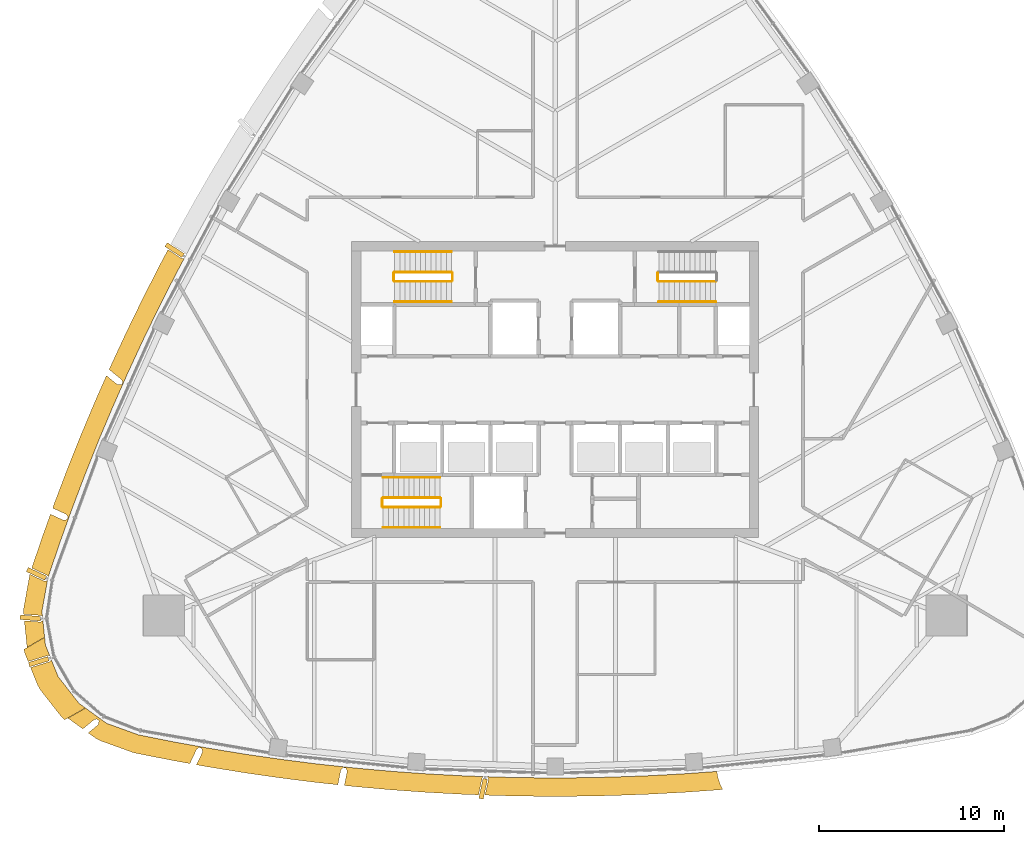
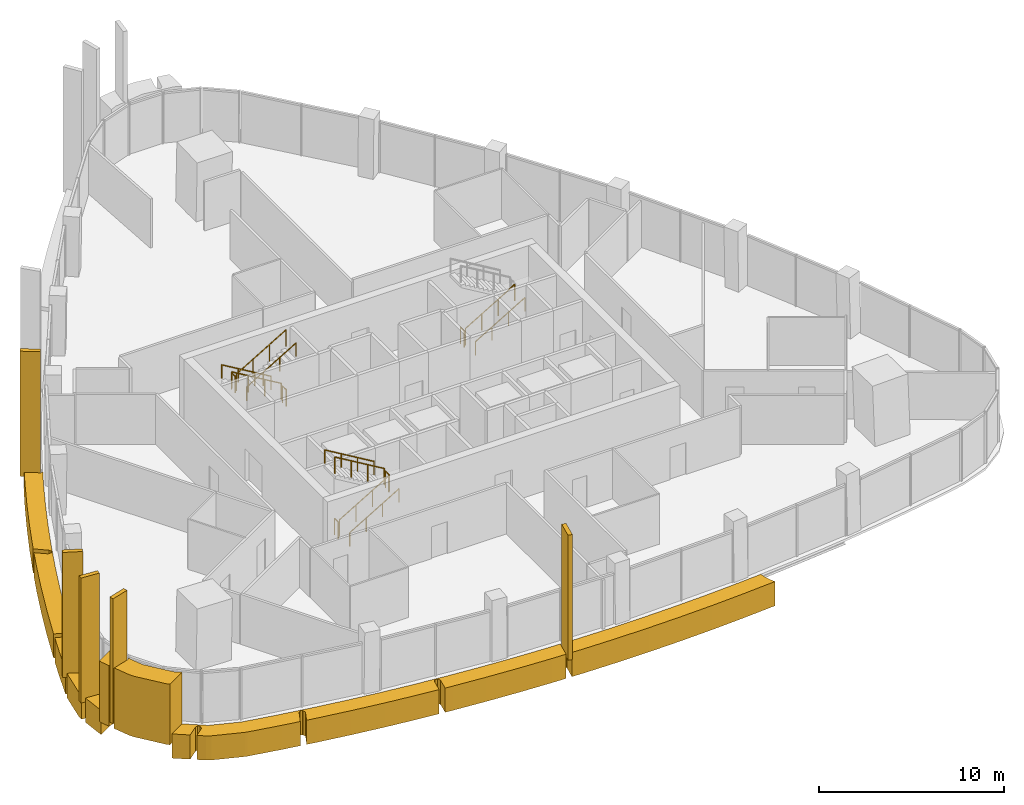
# One storey, part 14 of 16: 15 railings, 12 coverings.
"""IFC4 building model written with IfcOpenShell, lengths in metres."""

from ifc_helpers import new_model, si_unit, direction, frame, origin, origin_2d, place, context, subcontext, project, spatial, polyline, rectangle, circle, outline, extrude, material, layer, layer_set, material_profile, profile_set, type_object, element, save


model = new_model("IFC4")

# Units and contexts
model_context = context("Model", 3, precision=1e-05, world=origin(), true_north=direction((0.0, 1.0)))
body_context = subcontext(model_context, "Body", "Model", "MODEL_VIEW")
ifc_project = project(units=[si_unit("LENGTHUNIT", "METRE"), si_unit("AREAUNIT", "SQUARE_METRE"), si_unit("VOLUMEUNIT", "CUBIC_METRE"), si_unit("PLANEANGLEUNIT", "RADIAN"), si_unit("MASSUNIT", "GRAM", prefix="KILO")], contexts=[model_context])

# Site, building, storey
site_placement = place(None, origin())
site = spatial("IfcSite", under=ifc_project, at=site_placement, CompositionType="ELEMENT")
building_placement = place(site_placement, origin())
building = spatial("IfcBuilding", under=site, at=building_placement, Name="Sierra Prisma Convention Tower", CompositionType="ELEMENT")
storey_placement = place(building_placement, frame((0.0, 0.0, 271.0)))
storey = spatial("IfcBuildingStorey", under=building, at=storey_placement, Name="L61", CompositionType="ELEMENT", Elevation=271.0)

# Coverings
ifc_material_1 = material(Name="Aluminium composite bronze anodised", Category="aluminium")
ifc_layer_1 = layer(ifc_material_1, 1.199951171875)
ifc_layer_set_1 = layer_set([ifc_layer_1], Name="Bronze corner pier")
covering_type_1 = type_object("IfcCoveringType", Name="Bronze corner pier", PredefinedType="CLADDING", material=ifc_layer_set_1)
covering_1_placement = place(storey_placement, frame((0.0, 0.0, -0.60009765625)))
element("IfcCovering", 1, at=covering_1_placement, inside=storey, type_object=covering_type_1, Name="Corner pier SW L61.1", PredefinedType="CLADDING", context=body_context, shape_type="SweptSolid", body=[
    extrude(outline(polyline([(-28.361328125, -15.020751953125), (-27.339111328125, -14.708740234375), (-27.334228515625, -14.70703125), (-27.32958984375, -14.704833984375), (-27.325439453125, -14.702392578125), (-27.3212890625, -14.69921875), (-27.317626953125, -14.69580078125), (-27.314453125, -14.692138671875), (-27.238525390625, -14.59619140625), (-26.868896484375, -15.5126953125), (-25.737060546875, -16.959716796875), (-25.39892578125, -17.204345703125), (-26.5224609375, -17.85302734375), (-26.682373046875, -17.698974609375), (-27.814208984375, -16.252197265625), (-27.981689453125, -15.961669921875), (-28.361328125, -15.020751953125)])), origin(), (0.0, 0.0, 1.0), 4.0),
])
covering_2_placement = place(storey_placement, frame((0.0, 0.0, -0.60009765625)))
element("IfcCovering", 2, at=covering_2_placement, inside=storey, type_object=covering_type_1, Name="Corner pier SW L61.2", PredefinedType="CLADDING", context=body_context, shape_type="SweptSolid", body=[
    extrude(outline(polyline([(-28.6689453125, -14.258056640625), (-28.722412109375, -14.04248046875), (-27.598876953125, -13.393798828125), (-27.555908203125, -13.80908203125), (-27.320068359375, -14.39404296875), (-27.415771484375, -14.373046875), (-27.4208984375, -14.372314453125), (-27.426025390625, -14.371826171875), (-27.43115234375, -14.3720703125), (-27.436279296875, -14.372802734375), (-27.441162109375, -14.3740234375), (-28.49267578125, -14.69482421875), (-28.6689453125, -14.258056640625)])), origin(), (0.0, 0.0, 1.0), 4.0),
])
ifc_material_2 = material(Name="Aluminium 6063-T6 bronze anodised", Category="aluminium")
ifc_material_profile = material_profile(ifc_material_2, rectangle(XDim=1.10009765625, YDim=0.25, at=origin_2d()), Name="ALU FIN 1100x250")
ifc_profile_set = profile_set([ifc_material_profile], Name="Aluminium 6063-T6 bronze anodised")
covering_type_2 = type_object("IfcCoveringType", Name="Bronze facade fin", PredefinedType="CLADDING", material=ifc_profile_set)
for number, where, z_axis, x_axis, name in (
    (3, (-3.892822265625, -21.57470703125, -0.300048828125), (0.0, 0.0, 1.0), (-0.208781691722, -0.97796227187, 0.0), "Fin L61.8"),
    (4, (-20.56884765625, 7.545654296875, -0.300048828125), (0.0, 0.0, 1.0), (-0.839154704189, 0.543892804179, 0.0), "Fin L61.55"),
    (5, (-28.04248046875, -9.953125, -0.300048828125), (0.0, 0.0, 1.0), (-0.905031638559, 0.425344252586, 0.0), "Fin L61.62"),
    (6, (-28.372802734375, -12.340087890625, -0.300048828125), (0.0, 0.0, 1.0), (-0.997436446945, 0.071557908763, 0.0), "Fin L61.63"),
    (7, (-27.916015625, -14.701904296875, -0.300048828125), (0.0, 0.0, 1.0), (-0.956480585467, -0.291795972597, 0.0), "Fin L61.64"),
):
    element("IfcCovering", number, at=place(storey_placement, frame(where, z_axis=z_axis, x_axis=x_axis)), inside=storey, type_object=covering_type_2, Name=name, ObjectType="FIN", PredefinedType="CLADDING", context=body_context, shape_type="SweptSolid", body=[
        extrude(rectangle(XDim=1.10009765625, YDim=0.25, at=origin_2d()), origin(), (0.0, 0.0, 1.0), 8.25),
    ])
ifc_material_3 = material(Name="Aluminium composite bronze anodised", Category="aluminium")
ifc_layer_2 = layer(ifc_material_3, 1.0)
ifc_layer_set_2 = layer_set([ifc_layer_2], Name="Bronze spandrel band")
covering_type_3 = type_object("IfcCoveringType", Name="Bronze spandrel band", PredefinedType="CLADDING", material=ifc_layer_set_2)
covering_3_placement = place(storey_placement, frame((0.0, 0.0, -1.60009765625)))
element("IfcCovering", 8, at=covering_3_placement, inside=storey, type_object=covering_type_3, Name="Spandrel band L61.1", PredefinedType="CLADDING", context=body_context, shape_type="SweptSolid", body=[
    extrude(outline(polyline([(-26.3916015625, -7.013916015625), (-26.388427734375, -7.010498046875), (-26.38525390625, -7.0068359375), (-26.3828125, -7.002685546875), (-26.380615234375, -6.99853515625), (-26.378662109375, -6.994140625), (-26.3447265625, -6.900146484375), (-26.343505859375, -6.8955078125), (-26.34228515625, -6.890625), (-26.341796875, -6.8857421875), (-26.341796875, -6.881103515625), (-26.34228515625, -6.876220703125), (-26.34326171875, -6.871337890625), (-26.3447265625, -6.86669921875), (-26.346435546875, -6.8623046875), (-26.3486328125, -6.85791015625), (-26.351318359375, -6.85400390625), (-26.428955078125, -6.746826171875), (-26.43212890625, -6.742919921875), (-26.435791015625, -6.7392578125), (-26.439697265625, -6.736083984375), (-26.44384765625, -6.733154296875), (-26.448486328125, -6.730712890625), (-27.165771484375, -6.39990234375), (-27.062255859375, -6.11181640625), (-27.05615234375, -6.09521484375), (-26.356689453125, -4.2509765625), (-26.35009765625, -4.234375), (-25.617919921875, -2.403076171875), (-25.611083984375, -2.38671875), (-24.84619140625, -0.568603515625), (-24.839111328125, -0.55224609375), (-24.259521484375, 0.758544921875), (-23.665283203125, 0.27978515625), (-23.6611328125, 0.27685546875), (-23.656982421875, 0.2744140625), (-23.65234375, 0.272216796875), (-23.647705078125, 0.270751953125), (-23.642822265625, 0.26953125), (-23.637939453125, 0.268798828125), (-23.633056640625, 0.268798828125), (-23.465087890625, 0.271728515625), (-23.460205078125, 0.272216796875), (-23.45556640625, 0.27294921875), (-23.451171875, 0.274169921875), (-23.446533203125, 0.275634765625), (-23.4423828125, 0.27783203125), (-23.438232421875, 0.2802734375), (-23.4345703125, 0.282958984375), (-23.430908203125, 0.2861328125), (-23.427734375, 0.28955078125), (-23.4248046875, 0.29345703125), (-23.42236328125, 0.29736328125), (-23.420166015625, 0.301513671875), (-23.3798828125, 0.39306640625), (-23.3779296875, 0.397705078125), (-23.376708984375, 0.402587890625), (-23.3759765625, 0.4072265625), (-23.37548828125, 0.412353515625), (-23.375732421875, 0.417236328125), (-23.376220703125, 0.422119140625), (-23.37744140625, 0.427001953125), (-23.37890625, 0.431640625), (-23.381103515625, 0.436279296875), (-23.4326171875, 0.536376953125), (-23.435302734375, 0.540771484375), (-23.438232421875, 0.544921875), (-23.44189453125, 0.548828125), (-23.44580078125, 0.552490234375), (-24.113037109375, 1.090087890625), (-24.041748046875, 1.25146484375), (-24.0341796875, 1.267822265625), (-23.204833984375, 3.05712890625), (-23.197021484375, 3.0732421875), (-22.335693359375, 4.847412109375), (-22.327880859375, 4.863525390625), (-21.434814453125, 6.621826171875), (-21.426513671875, 6.6376953125), (-20.930908203125, 7.572021484375), (-20.202392578125, 7.099609375), (-20.197998046875, 7.09716796875), (-20.193603515625, 7.09521484375), (-20.188720703125, 7.093505859375), (-20.183837890625, 7.09228515625), (-20.1787109375, 7.091796875), (-20.173828125, 7.091796875), (-20.0517578125, 7.09521484375), (-20.543212890625, 6.169189453125), (-21.43603515625, 4.41064453125), (-22.297607421875, 2.636474609375), (-23.127197265625, 0.84716796875), (-23.92431640625, -0.95654296875), (-24.689453125, -2.7744140625), (-25.421630859375, -4.605712890625), (-26.12109375, -6.44970703125), (-26.787353515625, -8.305908203125), (-27.3974609375, -10.106201171875), (-27.45361328125, -10.041015625), (-27.457275390625, -10.037353515625), (-27.461181640625, -10.033935546875), (-27.465576171875, -10.031005859375), (-27.47021484375, -10.028564453125), (-28.29541015625, -9.640625), (-27.734619140625, -7.985107421875), (-27.728515625, -7.968017578125), (-27.284423828125, -6.730712890625), (-26.594970703125, -7.048583984375), (-26.59033203125, -7.050537109375), (-26.58544921875, -7.052001953125), (-26.58056640625, -7.052734375), (-26.575439453125, -7.05322265625), (-26.570556640625, -7.052978515625), (-26.5654296875, -7.052490234375), (-26.4169921875, -7.026611328125), (-26.412353515625, -7.025390625), (-26.407958984375, -7.02392578125), (-26.403564453125, -7.022216796875), (-26.3994140625, -7.019775390625), (-26.3955078125, -7.01708984375), (-26.3916015625, -7.013916015625)])), origin(), (0.0, 0.0, 1.0), 1.60009765625),
])
covering_4_placement = place(storey_placement, frame((0.0, 0.0, -1.60009765625)))
element("IfcCovering", 9, at=covering_4_placement, inside=storey, type_object=covering_type_3, Name="Spandrel band L61.2", PredefinedType="CLADDING", context=body_context, shape_type="SweptSolid", body=[
    extrude(outline(polyline([(-27.80712890625, -12.205322265625), (-27.811767578125, -12.204833984375), (-28.73388671875, -12.138671875), (-28.739501953125, -12.084716796875), (-28.72900390625, -11.805419921875), (-28.404541015625, -9.997314453125), (-28.39990234375, -9.978515625), (-27.618896484375, -10.345458984375), (-27.614501953125, -10.347412109375), (-27.609619140625, -10.3486328125), (-27.604736328125, -10.349609375), (-27.599853515625, -10.35009765625), (-27.594970703125, -10.35009765625), (-27.58984375, -10.349609375), (-27.585205078125, -10.348388671875), (-27.445068359375, -10.311767578125), (-27.74462890625, -11.98193359375), (-27.716552734375, -12.25537109375), (-27.789794921875, -12.2119140625), (-27.7939453125, -12.209716796875), (-27.798095703125, -12.207763671875), (-27.802490234375, -12.206298828125), (-27.80712890625, -12.205322265625)])), origin(), (0.0, 0.0, 1.0), 1.60009765625),
])
covering_5_placement = place(storey_placement, frame((0.0, 0.0, -1.60009765625)))
element("IfcCovering", 10, at=covering_5_placement, inside=storey, type_object=covering_type_3, Name="Spandrel band L61.3", PredefinedType="CLADDING", context=body_context, shape_type="SweptSolid", body=[
    extrude(outline(polyline([(-28.697509765625, -12.4921875), (-27.8369140625, -12.553955078125), (-27.832275390625, -12.55419921875), (-27.82763671875, -12.5537109375), (-27.822998046875, -12.552978515625), (-27.818603515625, -12.552001953125), (-27.814208984375, -12.55029296875), (-27.809814453125, -12.54833984375), (-27.805908203125, -12.5458984375), (-27.694091796875, -12.472900390625), (-27.60009765625, -13.383056640625), (-28.54638671875, -13.929443359375), (-28.55078125, -13.911865234375), (-28.697509765625, -12.4921875)])), origin(), (0.0, 0.0, 1.0), 1.60009765625),
])
covering_6_placement = place(storey_placement, frame((0.0, 0.0, -1.60009765625)))
element("IfcCovering", 11, at=covering_6_placement, inside=storey, type_object=covering_type_3, Name="Spandrel band L61.4", PredefinedType="CLADDING", context=body_context, shape_type="SweptSolid", body=[
    extrude(outline(polyline([(-20.5869140625, -19.045654296875), (-18.64599609375, -19.396728515625), (-16.699462890625, -19.712890625), (-14.747314453125, -19.994384765625), (-12.790771484375, -20.240966796875), (-10.829833984375, -20.4521484375), (-8.865478515625, -20.62841796875), (-6.898193359375, -20.76953125), (-4.928955078125, -20.87548828125), (-3.885986328125, -20.912841796875), (-3.939208984375, -20.9794921875), (-3.94189453125, -20.983154296875), (-3.9443359375, -20.987060546875), (-3.9462890625, -20.9912109375), (-3.947998046875, -20.99560546875), (-3.94921875, -21.000244140625), (-4.14208984375, -21.904296875), (-4.964599609375, -21.874755859375), (-4.982666015625, -21.8740234375), (-6.951904296875, -21.76806640625), (-6.969970703125, -21.76708984375), (-8.93701171875, -21.6259765625), (-8.954833984375, -21.62451171875), (-10.919189453125, -21.4482421875), (-10.93701171875, -21.446533203125), (-11.39453125, -21.397216796875), (-11.24560546875, -20.6416015625), (-11.2451171875, -20.636474609375), (-11.244873046875, -20.631591796875), (-11.2451171875, -20.62646484375), (-11.245849609375, -20.62158203125), (-11.2470703125, -20.61669921875), (-11.248779296875, -20.61181640625), (-11.30908203125, -20.473876953125), (-11.31103515625, -20.469482421875), (-11.313720703125, -20.46533203125), (-11.31640625, -20.461669921875), (-11.31982421875, -20.4580078125), (-11.3232421875, -20.454833984375), (-11.3271484375, -20.4521484375), (-11.331298828125, -20.44970703125), (-11.335693359375, -20.447509765625), (-11.340087890625, -20.44580078125), (-11.3447265625, -20.444580078125), (-11.349609375, -20.444091796875), (-11.448974609375, -20.433349609375), (-11.453857421875, -20.43310546875), (-11.45849609375, -20.43310546875), (-11.46337890625, -20.433837890625), (-11.46826171875, -20.43505859375), (-11.47265625, -20.4365234375), (-11.477294921875, -20.438720703125), (-11.4814453125, -20.44091796875), (-11.4853515625, -20.44384765625), (-11.489013671875, -20.447021484375), (-11.4921875, -20.45068359375), (-11.578125, -20.551025390625), (-11.581298828125, -20.55517578125), (-11.583984375, -20.5595703125), (-11.586181640625, -20.564208984375), (-11.587890625, -20.56884765625), (-11.589111328125, -20.573974609375), (-11.743896484375, -21.359619140625), (-12.897705078125, -21.235107421875), (-12.91552734375, -21.23291015625), (-14.872314453125, -20.986572265625), (-14.89013671875, -20.984130859375), (-16.842041015625, -20.702880859375), (-16.85986328125, -20.699951171875), (-18.806396484375, -20.3837890625), (-18.82421875, -20.380615234375), (-19.389892578125, -20.2783203125), (-19.069091796875, -19.598388671875), (-19.0673828125, -19.59375), (-19.06591796875, -19.5888671875), (-19.06494140625, -19.583984375), (-19.064453125, -19.5791015625), (-19.064453125, -19.57421875), (-19.06494140625, -19.569091796875), (-19.06591796875, -19.564208984375), (-19.108642578125, -19.40185546875), (-19.110107421875, -19.397216796875), (-19.11181640625, -19.392822265625), (-19.114013671875, -19.388671875), (-19.11669921875, -19.384765625), (-19.11962890625, -19.381103515625), (-19.123046875, -19.377685546875), (-19.126708984375, -19.374755859375), (-19.130615234375, -19.3720703125), (-19.134521484375, -19.36962890625), (-19.138916015625, -19.367919921875), (-19.143310546875, -19.3662109375), (-19.148193359375, -19.365234375), (-19.24658203125, -19.347412109375), (-19.25146484375, -19.3466796875), (-19.25634765625, -19.3466796875), (-19.26123046875, -19.346923828125), (-19.26611328125, -19.347900390625), (-19.27099609375, -19.34912109375), (-19.275390625, -19.350830078125), (-19.280029296875, -19.35302734375), (-19.2841796875, -19.355712890625), (-19.2880859375, -19.35888671875), (-19.373291015625, -19.4326171875), (-19.376953125, -19.43603515625), (-19.38037109375, -19.440185546875), (-19.38330078125, -19.4443359375), (-19.3857421875, -19.448974609375), (-19.746337890625, -20.2138671875), (-20.764892578125, -20.029541015625), (-20.782470703125, -20.026123046875), (-22.716552734375, -19.640380859375), (-22.860107421875, -19.6005859375), (-24.588134765625, -18.977294921875), (-24.835205078125, -18.8466796875), (-25.24267578125, -18.552001953125), (-24.715087890625, -18.123046875), (-24.71142578125, -18.11962890625), (-24.7080078125, -18.115966796875), (-24.705078125, -18.112060546875), (-24.702392578125, -18.10791015625), (-24.700439453125, -18.103271484375), (-24.69873046875, -18.0986328125), (-24.697509765625, -18.09375), (-24.66552734375, -17.928955078125), (-24.664794921875, -17.92431640625), (-24.66455078125, -17.91943359375), (-24.664794921875, -17.914794921875), (-24.66552734375, -17.909912109375), (-24.66650390625, -17.905517578125), (-24.668212890625, -17.90087890625), (-24.669921875, -17.896484375), (-24.67236328125, -17.892578125), (-24.675048828125, -17.888671875), (-24.67822265625, -17.885009765625), (-24.681640625, -17.8818359375), (-24.685302734375, -17.87890625), (-24.766357421875, -17.8203125), (-24.7705078125, -17.8173828125), (-24.77490234375, -17.815185546875), (-24.779296875, -17.8134765625), (-24.7841796875, -17.81201171875), (-24.7890625, -17.81103515625), (-24.7939453125, -17.810791015625), (-24.799072265625, -17.810791015625), (-24.803955078125, -17.811279296875), (-24.80859375, -17.8125), (-24.91748046875, -17.842041015625), (-24.92236328125, -17.843505859375), (-24.927001953125, -17.845703125), (-24.931640625, -17.848388671875), (-24.935791015625, -17.8515625), (-25.5361328125, -18.339599609375), (-26.323486328125, -17.769775390625), (-26.33642578125, -17.757080078125), (-25.389892578125, -17.210693359375), (-24.2490234375, -18.03662109375), (-22.52099609375, -18.659912109375), (-20.5869140625, -19.045654296875)])), origin(), (0.0, 0.0, 1.0), 1.60009765625),
])
covering_7_placement = place(storey_placement, frame((0.0, 0.0, -1.60009765625)))
element("IfcCovering", 12, at=covering_7_placement, inside=storey, type_object=covering_type_3, Name="Spandrel band L61.10", PredefinedType="CLADDING", context=body_context, shape_type="SweptSolid", body=[
    extrude(outline(polyline([(8.954833984375, -21.62451171875), (8.93701171875, -21.6259765625), (6.969970703125, -21.76708984375), (6.951904296875, -21.76806640625), (4.982666015625, -21.8740234375), (4.964599609375, -21.874755859375), (2.993896484375, -21.9453125), (2.975830078125, -21.94580078125), (1.00390625, -21.981201171875), (0.986083984375, -21.981201171875), (-0.986083984375, -21.981201171875), (-1.00390625, -21.981201171875), (-2.975830078125, -21.94580078125), (-2.993896484375, -21.9453125), (-3.786865234375, -21.9169921875), (-3.606689453125, -21.0732421875), (-3.60595703125, -21.068603515625), (-3.605712890625, -21.06396484375), (-3.605712890625, -21.059326171875), (-3.606201171875, -21.0546875), (-3.607421875, -21.05029296875), (-3.608642578125, -21.0458984375), (-3.610595703125, -21.04150390625), (-3.66748046875, -20.920654296875), (-2.9580078125, -20.946044921875), (-0.986083984375, -20.981201171875), (0.986083984375, -20.981201171875), (2.9580078125, -20.946044921875), (4.928955078125, -20.87548828125), (6.898193359375, -20.76953125), (8.74365234375, -20.63720703125), (8.7783203125, -20.86279296875), (8.83984375, -21.10302734375), (8.924560546875, -21.336181640625), (9.031982421875, -21.559814453125), (9.0654296875, -21.614501953125), (8.954833984375, -21.62451171875)])), origin(), (0.0, 0.0, 1.0), 1.60009765625),
])

# Railings
ifc_material_4 = material(Name="Stainless steel", Category="steel")
railing_type_1 = type_object("IfcRailingType", Name="Exit stair handrail", PredefinedType="HANDRAIL", material=ifc_material_4)
railing_1_placement = place(storey_placement, frame((-9.300048828125, -7.449951171875, 0.166748046875)))
element("IfcRailing", 13, at=railing_1_placement, inside=storey, type_object=railing_type_1, Name="L61 S1 stair handrail 1", PredefinedType="HANDRAIL", context=body_context, shape_type="SweptSolid", body=[
    extrude(circle(Radius=0.02392578125, at=origin_2d()), frame((0.0, 0.0, 0.8759765625), z_axis=(0.859308565015, 0.0, 0.511457515432), x_axis=(0.0, 1.0, 0.0)), (0.0, 0.0, 1.0), 3.58447265625),
    extrude(circle(Radius=0.02099609375, at=origin_2d()), origin(), (0.0, 0.0, 1.0), 0.851806640625),
    extrude(circle(Radius=0.02099609375, at=origin_2d()), frame((1.026611328125, 0.0, 0.611083984375)), (0.0, 0.0, 1.0), 0.851806640625),
    extrude(circle(Radius=0.02099609375, at=origin_2d()), frame((2.053466796875, 0.0, 1.22216796875)), (0.0, 0.0, 1.0), 0.851806640625),
    extrude(circle(Radius=0.02099609375, at=origin_2d()), frame((3.080078125, 0.0, 1.833251953125)), (0.0, 0.0, 1.0), 0.851806640625),
])
railing_2_placement = place(storey_placement, frame((-6.219970703125, -4.75, 2.166748046875)))
element("IfcRailing", 14, at=railing_2_placement, inside=storey, type_object=railing_type_1, Name="L61 S1 stair handrail 2", PredefinedType="HANDRAIL", context=body_context, shape_type="SweptSolid", body=[
    extrude(circle(Radius=0.02392578125, at=origin_2d()), frame((0.0, 0.0, 0.8759765625), z_axis=(-0.859308565015, 0.0, 0.511457515432), x_axis=(0.0, -1.0, 0.0)), (0.0, 0.0, 1.0), 3.58447265625),
    extrude(circle(Radius=0.02099609375, at=origin_2d()), origin(), (0.0, 0.0, 1.0), 0.851806640625),
    extrude(circle(Radius=0.02099609375, at=origin_2d()), frame((-1.026611328125, 0.0, 0.611083984375)), (0.0, 0.0, 1.0), 0.851806640625),
    extrude(circle(Radius=0.02099609375, at=origin_2d()), frame((-2.053466796875, 0.0, 1.22216796875)), (0.0, 0.0, 1.0), 0.851806640625),
    extrude(circle(Radius=0.02099609375, at=origin_2d()), frame((-3.080078125, 0.0, 1.833251953125)), (0.0, 0.0, 1.0), 0.851806640625),
])
railing_3_placement = place(storey_placement, frame((-5.60009765625, 7.449951171875, 0.166748046875)))
element("IfcRailing", 15, at=railing_3_placement, inside=storey, type_object=railing_type_1, Name="L61 S3 stair handrail 1", PredefinedType="HANDRAIL", context=body_context, shape_type="SweptSolid", body=[
    extrude(circle(Radius=0.02392578125, at=origin_2d()), frame((0.0, 0.0, 0.8759765625), z_axis=(-0.859290745958, 0.0, 0.51148745235), x_axis=(0.0, -1.0, 0.0)), (0.0, 0.0, 1.0), 3.584228515625),
    extrude(circle(Radius=0.02099609375, at=origin_2d()), origin(), (0.0, 0.0, 1.0), 0.851806640625),
    extrude(circle(Radius=0.02099609375, at=origin_2d()), frame((-1.026611328125, 0.0, 0.611083984375)), (0.0, 0.0, 1.0), 0.851806640625),
    extrude(circle(Radius=0.02099609375, at=origin_2d()), frame((-2.05322265625, 0.0, 1.22216796875)), (0.0, 0.0, 1.0), 0.851806640625),
    extrude(circle(Radius=0.02099609375, at=origin_2d()), frame((-3.079833984375, 0.0, 1.833251953125)), (0.0, 0.0, 1.0), 0.851806640625),
])
for number, where, name in (
    (16, (-8.679931640625, 4.75, 2.166748046875), "L61 S3 stair handrail 2"),
    (17, (5.60009765625, 4.75, 0.166748046875), "L61 S4 stair handrail 1"),
):
    element("IfcRailing", number, at=place(storey_placement, frame(where)), inside=storey, type_object=railing_type_1, Name=name, PredefinedType="HANDRAIL", context=body_context, shape_type="SweptSolid", body=[
        extrude(circle(Radius=0.02392578125, at=origin_2d()), frame((0.0, 0.0, 0.8759765625), z_axis=(0.859290745958, 0.0, 0.51148745235), x_axis=(0.0, 1.0, 0.0)), (0.0, 0.0, 1.0), 3.584228515625),
        extrude(circle(Radius=0.02099609375, at=origin_2d()), origin(), (0.0, 0.0, 1.0), 0.851806640625),
        extrude(circle(Radius=0.02099609375, at=origin_2d()), frame((1.026611328125, 0.0, 0.611083984375)), (0.0, 0.0, 1.0), 0.851806640625),
        extrude(circle(Radius=0.02099609375, at=origin_2d()), frame((2.05322265625, 0.0, 1.22216796875)), (0.0, 0.0, 1.0), 0.851806640625),
        extrude(circle(Radius=0.02099609375, at=origin_2d()), frame((3.079833984375, 0.0, 1.833251953125)), (0.0, 0.0, 1.0), 0.851806640625),
    ])
ifc_material_5 = material(Name="Stainless steel", Category="steel")
railing_type_2 = type_object("IfcRailingType", Name="Stair guard 1100", PredefinedType="GUARDRAIL", material=ifc_material_5)
railing_4_placement = place(storey_placement, frame((-9.300048828125, -6.35009765625, 0.166748046875)))
element("IfcRailing", 18, at=railing_4_placement, inside=storey, type_object=railing_type_2, Name="L61 S1 stair guard 1", PredefinedType="GUARDRAIL", context=body_context, shape_type="SweptSolid", body=[
    extrude(circle(Radius=0.02392578125, at=origin_2d()), frame((0.0, 0.0, 1.076171875), z_axis=(0.859308565015, 0.0, 0.511457515432), x_axis=(0.0, 1.0, 0.0)), (0.0, 0.0, 1.0), 3.58447265625),
    extrude(circle(Radius=0.02099609375, at=origin_2d()), origin(), (0.0, 0.0, 1.0), 1.052001953125),
    extrude(circle(Radius=0.02099609375, at=origin_2d()), frame((1.026611328125, 0.0, 0.611083984375)), (0.0, 0.0, 1.0), 1.052001953125),
    extrude(circle(Radius=0.02099609375, at=origin_2d()), frame((2.053466796875, 0.0, 1.22216796875)), (0.0, 0.0, 1.0), 1.052001953125),
    extrude(circle(Radius=0.02099609375, at=origin_2d()), frame((3.080078125, 0.0, 1.833251953125)), (0.0, 0.0, 1.0), 1.052001953125),
])
railing_5_placement = place(storey_placement, frame((-6.169921875, -6.300048828125, 2.0)))
element("IfcRailing", 19, at=railing_5_placement, inside=storey, type_object=railing_type_2, Name="L61 S1 stair guard 2", PredefinedType="GUARDRAIL", context=body_context, shape_type="SweptSolid", body=[
    extrude(circle(Radius=0.02392578125, at=origin_2d()), frame((0.0, 0.0, 1.076171875), z_axis=(0.0, 1.0, 0.0), x_axis=(-1.0, 0.0, 0.0)), (0.0, 0.0, 1.0), 0.400146484375),
    extrude(circle(Radius=0.02099609375, at=origin_2d()), origin(), (0.0, 0.0, 1.0), 1.052001953125),
    extrude(circle(Radius=0.02099609375, at=origin_2d()), frame((0.0, 0.400146484375, 0.0)), (0.0, 0.0, 1.0), 1.052001953125),
])
railing_6_placement = place(storey_placement, frame((-6.219970703125, -5.85009765625, 2.166748046875)))
element("IfcRailing", 20, at=railing_6_placement, inside=storey, type_object=railing_type_2, Name="L61 S1 stair guard 3", PredefinedType="GUARDRAIL", context=body_context, shape_type="SweptSolid", body=[
    extrude(circle(Radius=0.02392578125, at=origin_2d()), frame((0.0, 0.0, 1.076171875), z_axis=(-0.859308565015, 0.0, 0.511457515432), x_axis=(0.0, -1.0, 0.0)), (0.0, 0.0, 1.0), 3.58447265625),
    extrude(circle(Radius=0.02099609375, at=origin_2d()), origin(), (0.0, 0.0, 1.0), 1.052001953125),
    extrude(circle(Radius=0.02099609375, at=origin_2d()), frame((-1.026611328125, 0.0, 0.611083984375)), (0.0, 0.0, 1.0), 1.052001953125),
    extrude(circle(Radius=0.02099609375, at=origin_2d()), frame((-2.053466796875, 0.0, 1.22216796875)), (0.0, 0.0, 1.0), 1.052001953125),
    extrude(circle(Radius=0.02099609375, at=origin_2d()), frame((-3.080078125, 0.0, 1.833251953125)), (0.0, 0.0, 1.0), 1.052001953125),
])
railing_7_placement = place(storey_placement, frame((-9.35009765625, -6.300048828125, 0.0)))
element("IfcRailing", 21, at=railing_7_placement, inside=storey, type_object=railing_type_2, Name="L61 S1 stair guard 4", PredefinedType="GUARDRAIL", context=body_context, shape_type="SweptSolid", body=[
    extrude(circle(Radius=0.02392578125, at=origin_2d()), frame((0.0, 0.0, 1.076171875), z_axis=(0.0, 1.0, 0.0), x_axis=(-1.0, 0.0, 0.0)), (0.0, 0.0, 1.0), 0.400146484375),
    extrude(circle(Radius=0.02099609375, at=origin_2d()), origin(), (0.0, 0.0, 1.0), 1.052001953125),
    extrude(circle(Radius=0.02099609375, at=origin_2d()), frame((0.0, 0.400146484375, 0.0)), (0.0, 0.0, 1.0), 1.052001953125),
])
railing_8_placement = place(storey_placement, frame((-5.60009765625, 6.35009765625, 0.166748046875)))
element("IfcRailing", 22, at=railing_8_placement, inside=storey, type_object=railing_type_2, Name="L61 S3 stair guard 1", PredefinedType="GUARDRAIL", context=body_context, shape_type="SweptSolid", body=[
    extrude(circle(Radius=0.02392578125, at=origin_2d()), frame((0.0, 0.0, 1.076171875), z_axis=(-0.859290745958, 0.0, 0.51148745235), x_axis=(0.0, -1.0, 0.0)), (0.0, 0.0, 1.0), 3.584228515625),
    extrude(circle(Radius=0.02099609375, at=origin_2d()), origin(), (0.0, 0.0, 1.0), 1.052001953125),
    extrude(circle(Radius=0.02099609375, at=origin_2d()), frame((-1.026611328125, 0.0, 0.611083984375)), (0.0, 0.0, 1.0), 1.052001953125),
    extrude(circle(Radius=0.02099609375, at=origin_2d()), frame((-2.05322265625, 0.0, 1.22216796875)), (0.0, 0.0, 1.0), 1.052001953125),
    extrude(circle(Radius=0.02099609375, at=origin_2d()), frame((-3.079833984375, 0.0, 1.833251953125)), (0.0, 0.0, 1.0), 1.052001953125),
])
railing_9_placement = place(storey_placement, frame((-8.72998046875, 6.300048828125, 2.0)))
element("IfcRailing", 23, at=railing_9_placement, inside=storey, type_object=railing_type_2, Name="L61 S3 stair guard 2", PredefinedType="GUARDRAIL", context=body_context, shape_type="SweptSolid", body=[
    extrude(circle(Radius=0.02392578125, at=origin_2d()), frame((0.0, 0.0, 1.076171875), z_axis=(0.0, -1.0, 0.0), x_axis=(1.0, 0.0, 0.0)), (0.0, 0.0, 1.0), 0.400146484375),
    extrude(circle(Radius=0.02099609375, at=origin_2d()), origin(), (0.0, 0.0, 1.0), 1.052001953125),
    extrude(circle(Radius=0.02099609375, at=origin_2d()), frame((0.0, -0.400146484375, 0.0)), (0.0, 0.0, 1.0), 1.052001953125),
])
railing_10_placement = place(storey_placement, frame((-8.679931640625, 5.85009765625, 2.166748046875)))
element("IfcRailing", 24, at=railing_10_placement, inside=storey, type_object=railing_type_2, Name="L61 S3 stair guard 3", PredefinedType="GUARDRAIL", context=body_context, shape_type="SweptSolid", body=[
    extrude(circle(Radius=0.02392578125, at=origin_2d()), frame((0.0, 0.0, 1.076171875), z_axis=(0.859290745958, 0.0, 0.51148745235), x_axis=(0.0, 1.0, 0.0)), (0.0, 0.0, 1.0), 3.584228515625),
    extrude(circle(Radius=0.02099609375, at=origin_2d()), origin(), (0.0, 0.0, 1.0), 1.052001953125),
    extrude(circle(Radius=0.02099609375, at=origin_2d()), frame((1.026611328125, 0.0, 0.611083984375)), (0.0, 0.0, 1.0), 1.052001953125),
    extrude(circle(Radius=0.02099609375, at=origin_2d()), frame((2.05322265625, 0.0, 1.22216796875)), (0.0, 0.0, 1.0), 1.052001953125),
    extrude(circle(Radius=0.02099609375, at=origin_2d()), frame((3.079833984375, 0.0, 1.833251953125)), (0.0, 0.0, 1.0), 1.052001953125),
])
railing_11_placement = place(storey_placement, frame((-5.550048828125, 6.300048828125, 0.0)))
element("IfcRailing", 25, at=railing_11_placement, inside=storey, type_object=railing_type_2, Name="L61 S3 stair guard 4", PredefinedType="GUARDRAIL", context=body_context, shape_type="SweptSolid", body=[
    extrude(circle(Radius=0.02392578125, at=origin_2d()), frame((0.0, 0.0, 1.076171875), z_axis=(0.0, -1.0, 0.0), x_axis=(1.0, 0.0, 0.0)), (0.0, 0.0, 1.0), 0.400146484375),
    extrude(circle(Radius=0.02099609375, at=origin_2d()), origin(), (0.0, 0.0, 1.0), 1.052001953125),
    extrude(circle(Radius=0.02099609375, at=origin_2d()), frame((0.0, -0.400146484375, 0.0)), (0.0, 0.0, 1.0), 1.052001953125),
])
railing_12_placement = place(storey_placement, frame((5.60009765625, 5.85009765625, 0.166748046875)))
element("IfcRailing", 26, at=railing_12_placement, inside=storey, type_object=railing_type_2, Name="L61 S4 stair guard 1", PredefinedType="GUARDRAIL", context=body_context, shape_type="SweptSolid", body=[
    extrude(circle(Radius=0.02392578125, at=origin_2d()), frame((0.0, 0.0, 1.076171875), z_axis=(0.859290745958, 0.0, 0.51148745235), x_axis=(0.0, 1.0, 0.0)), (0.0, 0.0, 1.0), 3.584228515625),
    extrude(circle(Radius=0.02099609375, at=origin_2d()), origin(), (0.0, 0.0, 1.0), 1.052001953125),
    extrude(circle(Radius=0.02099609375, at=origin_2d()), frame((1.026611328125, 0.0, 0.611083984375)), (0.0, 0.0, 1.0), 1.052001953125),
    extrude(circle(Radius=0.02099609375, at=origin_2d()), frame((2.05322265625, 0.0, 1.22216796875)), (0.0, 0.0, 1.0), 1.052001953125),
    extrude(circle(Radius=0.02099609375, at=origin_2d()), frame((3.079833984375, 0.0, 1.833251953125)), (0.0, 0.0, 1.0), 1.052001953125),
])
railing_13_placement = place(storey_placement, frame((5.550048828125, 5.89990234375, 0.0)))
element("IfcRailing", 27, at=railing_13_placement, inside=storey, type_object=railing_type_2, Name="L61 S4 stair guard 4", PredefinedType="GUARDRAIL", context=body_context, shape_type="SweptSolid", body=[
    extrude(circle(Radius=0.02392578125, at=origin_2d()), frame((0.0, 0.0, 1.076171875), z_axis=(0.0, 1.0, 0.0), x_axis=(-1.0, 0.0, 0.0)), (0.0, 0.0, 1.0), 0.400146484375),
    extrude(circle(Radius=0.02099609375, at=origin_2d()), origin(), (0.0, 0.0, 1.0), 1.052001953125),
    extrude(circle(Radius=0.02099609375, at=origin_2d()), frame((0.0, 0.400146484375, 0.0)), (0.0, 0.0, 1.0), 1.052001953125),
])

save(model, "model.ifc")
